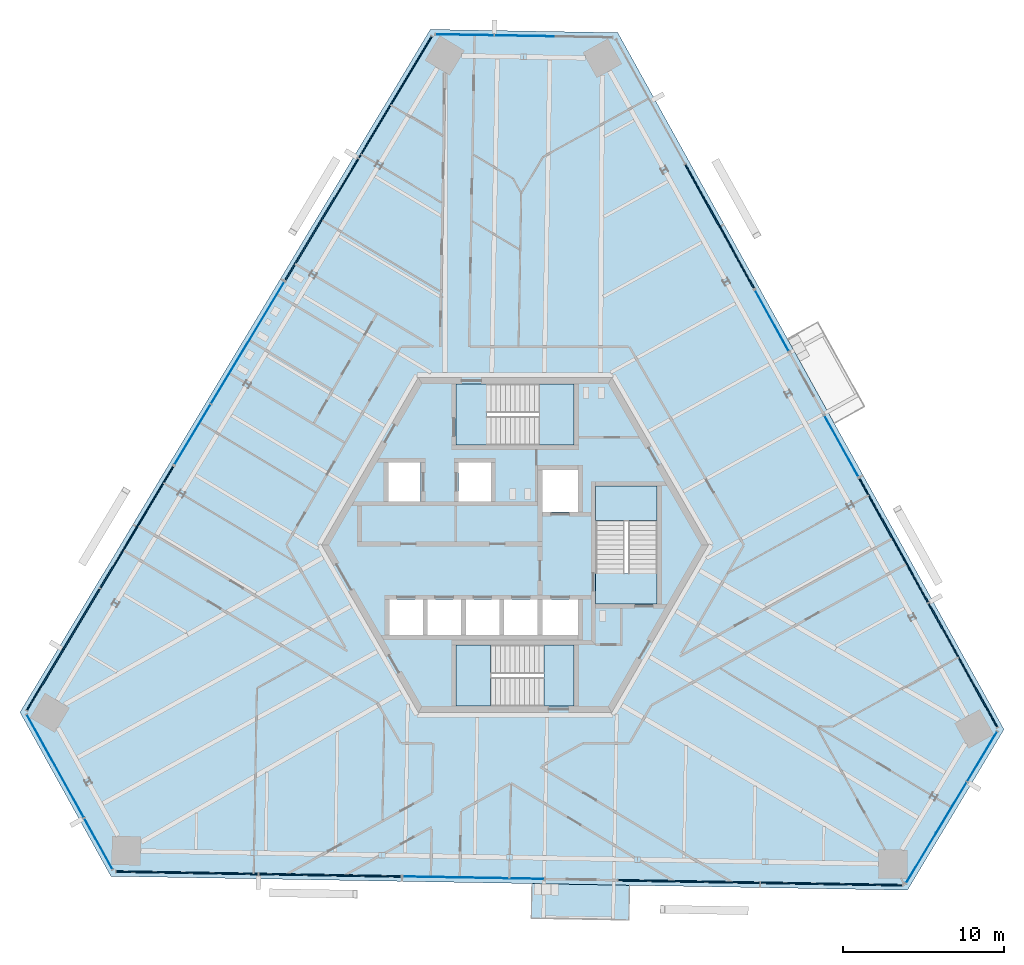
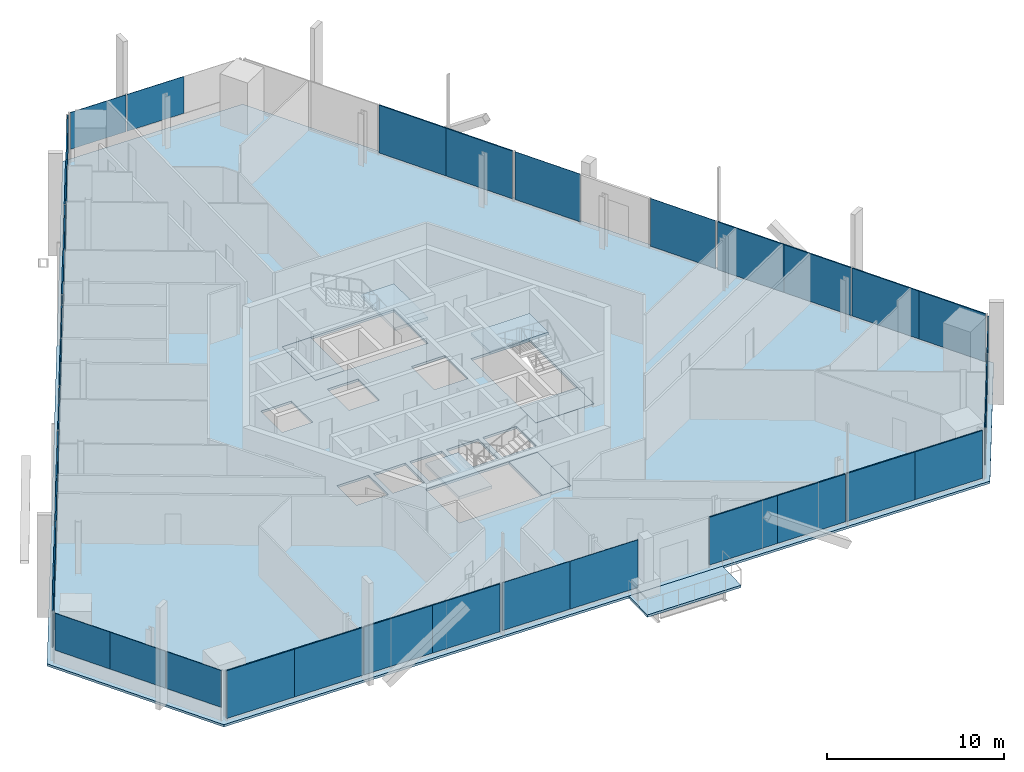
# One storey, part 10 of 21: 37 plates, 8 slabs, 16 elements without a shape of their own.
"""IFC4 building model written with IfcOpenShell, lengths in metres."""

from ifc_helpers import new_model, si_unit, direction, frame, origin, origin_2d, place, context, subcontext, project, spatial, polyline, rectangle, outline, extrude, source, transform, mapped, material, layer, layer_set, type_object, element, aggregate, save


model = new_model("IFC4")

# Units and contexts
model_context = context("Model", 3, precision=1e-05, world=origin(), true_north=direction((0.0, 1.0)))
body_context = subcontext(model_context, "Body", "Model", "MODEL_VIEW")
ifc_project = project(units=[si_unit("LENGTHUNIT", "METRE"), si_unit("AREAUNIT", "SQUARE_METRE"), si_unit("VOLUMEUNIT", "CUBIC_METRE"), si_unit("PLANEANGLEUNIT", "RADIAN"), si_unit("MASSUNIT", "GRAM", prefix="KILO")], contexts=[model_context])

# Site, building, storey
site_placement = place(None, origin())
site = spatial("IfcSite", under=ifc_project, at=site_placement, CompositionType="ELEMENT")
building_placement = place(site_placement, origin())
building = spatial("IfcBuilding", under=site, at=building_placement, Name="Triune Harvest Tower", CompositionType="ELEMENT")
storey_placement = place(building_placement, frame((0.0, 0.0, 187.10009765625)))
storey = spatial("IfcBuildingStorey", under=building, at=storey_placement, Name="L48", CompositionType="ELEMENT", Elevation=187.10009765625)

# Slabs
ifc_material_1 = material(Name="Concrete 40 MPa", Category="concrete")
ifc_layer_1 = layer(ifc_material_1, 0.159912109375)
ifc_layer_set_1 = layer_set([ifc_layer_1], Name="Concrete 40 MPa")
slab_type_1 = type_object("IfcSlabType", Name="BA-1 balcony slab 160", PredefinedType="FLOOR", material=ifc_layer_set_1)
slab_1_placement = place(storey_placement, frame((0.0, 0.0, -0.16015625)))
element("IfcSlab", 1, at=slab_1_placement, inside=storey, type_object=slab_type_1, Name="Balcony slab B5-F5 L48.7", PredefinedType="FLOOR", context=body_context, shape_type="SweptSolid", body=[
    extrude(outline(polyline([(1.045654296875, -20.99853515625), (7.093505859375, -21.10400390625), (7.055908203125, -23.251708984375), (1.00830078125, -23.14599609375), (1.045654296875, -20.99853515625)])), origin(), (0.0, 0.0, 1.0), 0.16015625),
])
ifc_material_2 = material(Name="Concrete 40 MPa", Category="concrete")
ifc_layer_2 = layer(ifc_material_2, 0.159912109375)
ifc_layer_set_2 = layer_set([ifc_layer_2], Name="Concrete 40 MPa")
slab_type_2 = type_object("IfcSlabType", Name="SL-1 Composite floor slab 160", PredefinedType="FLOOR", material=ifc_layer_set_2)
shared_shape_1 = source(origin(), body_context, "Body", "SweptSolid", [
    extrude(outline(polyline([(30.324951171875, -11.439208984375), (6.368896484375, 31.77880859375), (-5.256103515625, 31.981689453125), (-30.705810546875, -10.373779296875), (-25.069091796875, -20.542724609375), (24.3369140625, -21.405029296875), (30.324951171875, -11.439208984375)]), holes=[polyline([(-5.72509765625, -5.590087890625), (-5.72509765625, -3.389892578125), (-7.800048828125, -3.389892578125), (-7.800048828125, -5.590087890625), (-5.72509765625, -5.590087890625)]), polyline([(-3.35009765625, -5.590087890625), (-3.35009765625, -3.389892578125), (-5.425048828125, -3.389892578125), (-5.425048828125, -5.590087890625), (-3.35009765625, -5.590087890625)]), polyline([(-0.97509765625, -5.590087890625), (-0.97509765625, -3.389892578125), (-3.050048828125, -3.389892578125), (-3.050048828125, -5.590087890625), (-0.97509765625, -5.590087890625)]), polyline([(1.39990234375, -5.590087890625), (1.39990234375, -3.389892578125), (-0.675048828125, -3.389892578125), (-0.675048828125, -5.590087890625), (1.39990234375, -5.590087890625)]), polyline([(3.89990234375, 2.06005859375), (3.89990234375, 4.659912109375), (1.699951171875, 4.659912109375), (1.699951171875, 2.06005859375), (3.89990234375, 2.06005859375)]), polyline([(3.89990234375, -5.590087890625), (3.89990234375, -3.389892578125), (1.699951171875, -3.389892578125), (1.699951171875, -5.590087890625), (3.89990234375, -5.590087890625)]), polyline([(-5.85009765625, 2.7099609375), (-5.85009765625, 5.110107421875), (-7.85009765625, 5.110107421875), (-7.85009765625, 2.7099609375), (-5.85009765625, 2.7099609375)]), polyline([(-1.5, 2.7099609375), (-1.5, 5.110107421875), (-3.5, 5.110107421875), (-3.5, 2.7099609375), (-1.5, 2.7099609375)]), polyline([(3.64990234375, 6.18994140625), (3.64990234375, 9.989990234375), (-3.64990234375, 9.989990234375), (-3.64990234375, 6.18994140625), (3.64990234375, 6.18994140625)]), polyline([(3.64990234375, -9.989990234375), (3.64990234375, -6.18994140625), (-3.64990234375, -6.18994140625), (-3.64990234375, -9.989990234375), (3.64990234375, -9.989990234375)]), polyline([(8.800048828125, -3.64990234375), (8.800048828125, 3.64990234375), (5.0, 3.64990234375), (5.0, -3.64990234375), (8.800048828125, -3.64990234375)])]), origin(), (0.0, 0.0, 1.0), 0.16015625),
])
slab_2_placement = place(storey_placement, frame((0.0, 0.0, -0.16015625)))
element("IfcSlab", 2, at=slab_2_placement, inside=storey, type_object=slab_type_2, Name="slab/L48/1", PredefinedType="FLOOR", context=body_context, shape_type="MappedRepresentation", body=[
    mapped(shared_shape_1, transform((0.0, 0.0, 0.0), scale=1.0)),
])

# Stair, slabs
ifc_material_3 = material(Name="Concrete 40 MPa", Category="concrete")
stair_type = type_object("IfcStairType", Name="Exit stair 1800 half turn", PredefinedType="HALF_TURN_STAIR", material=ifc_material_3)
stair_1_placement = place(storey_placement, origin())
stair_1 = element("IfcStair", 3, at=stair_1_placement, inside=storey, type_object=stair_type, Name="Exit stair north", PredefinedType="HALF_TURN_STAIR")
ifc_material_4 = material(Name="Concrete 40 MPa", Category="concrete")
ifc_layer_3 = layer(ifc_material_4, 0.199951171875)
ifc_layer_set_3 = layer_set([ifc_layer_3], Name="Concrete 40 MPa")
slab_type_3 = type_object("IfcSlabType", Name="Stair landing 200", PredefinedType="LANDING", material=ifc_layer_set_3)
shared_shape_2 = source(origin(), body_context, "Body", "SweptSolid", [
    extrude(outline(polyline([(1.510009765625, 6.18994140625), (3.64990234375, 6.18994140625), (3.64990234375, 9.989990234375), (1.510009765625, 9.989990234375), (1.510009765625, 6.18994140625)])), origin(), (0.0, 0.0, 1.0), 0.199951171875),
])
slab_3_placement = place(storey_placement, frame((0.0, 0.0, 1.599853515625)))
slab_3 = element("IfcSlab", 4, at=slab_3_placement, type_object=slab_type_3, Name="ST-1 landing 2", PredefinedType="LANDING", context=body_context, shape_type="MappedRepresentation", body=[
    mapped(shared_shape_2, transform((0.0, 0.0, 0.0), scale=1.0)),
])
shared_shape_3 = source(origin(), body_context, "Body", "SweptSolid", [
    extrude(outline(polyline([(-3.64990234375, 6.18994140625), (-1.780029296875, 6.18994140625), (-1.780029296875, 9.989990234375), (-3.64990234375, 9.989990234375), (-3.64990234375, 6.18994140625)])), origin(), (0.0, 0.0, 1.0), 0.2001953125),
])
slab_4_placement = place(storey_placement, frame((0.0, 0.0, -0.2001953125)))
slab_4 = element("IfcSlab", 5, at=slab_4_placement, type_object=slab_type_3, Name="ST-1 landing 1", PredefinedType="LANDING", context=body_context, shape_type="MappedRepresentation", body=[
    mapped(shared_shape_3, transform((0.0, 0.0, 0.0), scale=1.0)),
])
aggregate(stair_1, [slab_4, slab_3])

stair_2_placement = place(storey_placement, origin())
stair_2 = element("IfcStair", 6, at=stair_2_placement, inside=storey, type_object=stair_type, Name="Exit stair south", PredefinedType="HALF_TURN_STAIR")
shared_shape_4 = source(origin(), body_context, "Body", "SweptSolid", [
    extrude(outline(polyline([(-1.510009765625, -6.18994140625), (-3.64990234375, -6.18994140625), (-3.64990234375, -9.989990234375), (-1.510009765625, -9.989990234375), (-1.510009765625, -6.18994140625)])), origin(), (0.0, 0.0, 1.0), 0.199951171875),
])
slab_5_placement = place(storey_placement, frame((0.0, 0.0, 1.599853515625)))
slab_5 = element("IfcSlab", 7, at=slab_5_placement, type_object=slab_type_3, Name="ST-2 landing 2", PredefinedType="LANDING", context=body_context, shape_type="MappedRepresentation", body=[
    mapped(shared_shape_4, transform((0.0, 0.0, 0.0), scale=1.0)),
])
shared_shape_5 = source(origin(), body_context, "Body", "SweptSolid", [
    extrude(outline(polyline([(3.64990234375, -6.18994140625), (1.780029296875, -6.18994140625), (1.780029296875, -9.989990234375), (3.64990234375, -9.989990234375), (3.64990234375, -6.18994140625)])), origin(), (0.0, 0.0, 1.0), 0.2001953125),
])
slab_6_placement = place(storey_placement, frame((0.0, 0.0, -0.2001953125)))
slab_6 = element("IfcSlab", 8, at=slab_6_placement, type_object=slab_type_3, Name="ST-2 landing 1", PredefinedType="LANDING", context=body_context, shape_type="MappedRepresentation", body=[
    mapped(shared_shape_5, transform((0.0, 0.0, 0.0), scale=1.0)),
])
aggregate(stair_2, [slab_6, slab_5])

stair_3_placement = place(storey_placement, origin())
stair_3 = element("IfcStair", 9, at=stair_3_placement, inside=storey, type_object=stair_type, Name="Exit stair east", PredefinedType="HALF_TURN_STAIR")
shared_shape_6 = source(origin(), body_context, "Body", "SweptSolid", [
    extrude(outline(polyline([(8.800048828125, 1.510009765625), (8.800048828125, 3.64990234375), (5.0, 3.64990234375), (5.0, 1.510009765625), (8.800048828125, 1.510009765625)])), origin(), (0.0, 0.0, 1.0), 0.199951171875),
])
slab_7_placement = place(storey_placement, frame((0.0, 0.0, 1.599853515625)))
slab_7 = element("IfcSlab", 10, at=slab_7_placement, type_object=slab_type_3, Name="ST-3 landing 2", PredefinedType="LANDING", context=body_context, shape_type="MappedRepresentation", body=[
    mapped(shared_shape_6, transform((0.0, 0.0, 0.0), scale=1.0)),
])
shared_shape_7 = source(origin(), body_context, "Body", "SweptSolid", [
    extrude(outline(polyline([(8.800048828125, -3.64990234375), (8.800048828125, -1.780029296875), (5.0, -1.780029296875), (5.0, -3.64990234375), (8.800048828125, -3.64990234375)])), origin(), (0.0, 0.0, 1.0), 0.2001953125),
])
slab_8_placement = place(storey_placement, frame((0.0, 0.0, -0.2001953125)))
slab_8 = element("IfcSlab", 11, at=slab_8_placement, type_object=slab_type_3, Name="ST-3 landing 1", PredefinedType="LANDING", context=body_context, shape_type="MappedRepresentation", body=[
    mapped(shared_shape_7, transform((0.0, 0.0, 0.0), scale=1.0)),
])
aggregate(stair_3, [slab_8, slab_7])

# Curtain wall, plates
ifc_material_5 = material(Name="Aluminium bronze anodised", Category="aluminium")
curtain_wall_type_1 = type_object("IfcCurtainWallType", Name="CW-10 Balcony window wall with insulated spandrel infill", PredefinedType="NOTDEFINED", material=ifc_material_5)
curtain_wall_1_placement = place(storey_placement, origin())
curtain_wall_1 = element("IfcCurtainWall", 12, at=curtain_wall_1_placement, inside=storey, type_object=curtain_wall_type_1, Name="CW-10 B5-F5 L48 run 2")
ifc_material_6 = material(Name="Insulated spandrel panel, bronze aluminium pan", Category="aluminium")
ifc_layer_4 = layer(ifc_material_6, 0.080078125)
ifc_layer_set_4 = layer_set([ifc_layer_4], Name="Insulated spandrel panel, bronze aluminium pan")
plate_type_1 = type_object("IfcPlateType", Name="SP-1 insulated spandrel panel 80", PredefinedType="CURTAIN_PANEL", material=ifc_layer_set_4)
shared_shape_8 = source(origin(), body_context, "Body", "SweptSolid", [
    extrude(rectangle(XDim=4.400634765625, YDim=0.080078125, at=origin_2d()), origin(), (0.0, 0.0, 1.0), 3.2900390625),
])
plate_1_placement = place(storey_placement, frame((12.966552734375, -20.906494140625, 0.14990234375), z_axis=(0.0, 0.0, 1.0), x_axis=(0.999847708228, -0.017451657526, 0.0)))
plate_1 = element("IfcPlate", 13, at=plate_1_placement, type_object=plate_type_1, Name="CW-10 panel B5-F5 2.2", PredefinedType="CURTAIN_PANEL", context=body_context, shape_type="MappedRepresentation", body=[
    mapped(shared_shape_8, transform((0.0, 0.0, 0.0), scale=1.0)),
])
plate_2_placement = place(storey_placement, frame((17.44140625, -20.984619140625, 0.14990234375), z_axis=(0.0, 0.0, 1.0), x_axis=(0.999847708228, -0.017451657526, 0.0)))
plate_2 = element("IfcPlate", 14, at=plate_2_placement, type_object=plate_type_1, Name="CW-10 panel B5-F5 2.3", PredefinedType="CURTAIN_PANEL", context=body_context, shape_type="MappedRepresentation", body=[
    mapped(shared_shape_8, transform((0.0, 0.0, 0.0), scale=1.0)),
])
shared_shape_9 = source(origin(), body_context, "Body", "SweptSolid", [
    extrude(rectangle(XDim=4.363037109375, YDim=0.080078125, at=origin_2d()), origin(), (0.0, 0.0, 1.0), 3.2900390625),
])
plate_3_placement = place(storey_placement, frame((8.585205078125, -20.830078125, 0.14990234375), z_axis=(0.0, 0.0, 1.0), x_axis=(0.999847708228, -0.017451657526, 0.0)))
plate_3 = element("IfcPlate", 15, at=plate_3_placement, type_object=plate_type_1, Name="CW-10 panel B5-F5 2.1", PredefinedType="CURTAIN_PANEL", context=body_context, shape_type="MappedRepresentation", body=[
    mapped(shared_shape_9, transform((0.0, 0.0, 0.0), scale=1.0)),
])
plate_4_placement = place(storey_placement, frame((21.82275390625, -21.06103515625, 0.14990234375), z_axis=(0.0, 0.0, 1.0), x_axis=(0.999847708228, -0.017451657526, 0.0)))
plate_4 = element("IfcPlate", 16, at=plate_4_placement, type_object=plate_type_1, Name="CW-10 panel B5-F5 2.4", PredefinedType="CURTAIN_PANEL", context=body_context, shape_type="MappedRepresentation", body=[
    mapped(shared_shape_9, transform((0.0, 0.0, 0.0), scale=1.0)),
])
aggregate(curtain_wall_1, [plate_3, plate_1, plate_2, plate_4])

# Curtain wall, plate
ifc_material_7 = material(Name="Aluminium bronze anodised", Category="aluminium")
curtain_wall_type_2 = type_object("IfcCurtainWallType", Name="CW-1 Tower stick curtain wall", PredefinedType="NOTDEFINED", material=ifc_material_7)
curtain_wall_2_placement = place(storey_placement, origin())
curtain_wall_2 = element("IfcCurtainWall", 17, at=curtain_wall_2_placement, inside=storey, type_object=curtain_wall_type_2, Name="CW-1 B5-F4 L48 run 1")
ifc_material_8 = material(Name="Glass", Category="glass")
ifc_layer_5 = layer(ifc_material_8, 0.031982421875)
ifc_layer_set_5 = layer_set([ifc_layer_5], Name="Glass")
plate_type_2 = type_object("IfcPlateType", Name="GL-1 panel 32", PredefinedType="CURTAIN_PANEL", material=ifc_layer_set_5)
shared_shape_10 = source(origin(), body_context, "Body", "SweptSolid", [
    extrude(rectangle(XDim=3.625, YDim=0.031982421875, at=origin_2d()), origin(), (0.0, 0.0, 1.0), 2.5400390625),
])
plate_5_placement = place(storey_placement, frame((-29.400634765625, -12.109375, 0.89990234375), z_axis=(0.0, 0.0, 1.0), x_axis=(0.484801950362, -0.874623958582, 0.0)))
plate_5 = element("IfcPlate", 18, at=plate_5_placement, type_object=plate_type_2, Name="CW-1 panel B5-F4 1.1", PredefinedType="CURTAIN_PANEL", context=body_context, shape_type="MappedRepresentation", body=[
    mapped(shared_shape_10, transform((0.0, 0.0, 0.0), scale=1.0)),
])

curtain_wall_3_placement = place(storey_placement, origin())
curtain_wall_3 = element("IfcCurtainWall", 19, at=curtain_wall_3_placement, inside=storey, type_object=curtain_wall_type_2, Name="CW-1 B5-F6 L48 run 1")
plate_6_placement = place(storey_placement, frame((25.1875, -19.406982421875, 0.89990234375), z_axis=(0.0, 0.0, 1.0), x_axis=(0.515036685882, 0.857168135313, 0.0)))
plate_6 = element("IfcPlate", 20, at=plate_6_placement, type_object=plate_type_2, Name="CW-1 panel B5-F6 1.1", PredefinedType="CURTAIN_PANEL", context=body_context, shape_type="MappedRepresentation", body=[
    mapped(shared_shape_10, transform((0.0, 0.0, 0.0), scale=1.0)),
])

curtain_wall_4_placement = place(storey_placement, origin())
curtain_wall_4 = element("IfcCurtainWall", 21, at=curtain_wall_4_placement, inside=storey, type_object=curtain_wall_type_2, Name="CW-1 B5-F2 L48 run 1")
shared_shape_11 = source(origin(), body_context, "Body", "SweptSolid", [
    extrude(rectangle(XDim=3.66259765625, YDim=0.031982421875, at=origin_2d()), origin(), (0.0, 0.0, 1.0), 2.5400390625),
])
plate_7_placement = place(storey_placement, frame((0.570068359375, 31.580078125, 0.89990234375), z_axis=(0.0, 0.0, 1.0), x_axis=(-0.999847801404, 0.017446318452, 0.0)))
plate_7 = element("IfcPlate", 22, at=plate_7_placement, type_object=plate_type_2, Name="CW-1 panel B5-F2 1.2", PredefinedType="CURTAIN_PANEL", context=body_context, shape_type="MappedRepresentation", body=[
    mapped(shared_shape_11, transform((0.0, 0.0, 0.0), scale=1.0)),
])

# Plate
plate_8_placement = place(storey_placement, frame((-27.634033203125, -15.29638671875, 0.89990234375), z_axis=(0.0, 0.0, 1.0), x_axis=(0.484801950362, -0.874623958582, 0.0)))
plate_8 = element("IfcPlate", 23, at=plate_8_placement, type_object=plate_type_2, Name="CW-1 panel B5-F4 1.2", PredefinedType="CURTAIN_PANEL", context=body_context, shape_type="MappedRepresentation", body=[
    mapped(shared_shape_11, transform((0.0, 0.0, 0.0), scale=1.0)),
])

plate_9_placement = place(storey_placement, frame((27.064208984375, -16.28369140625, 0.89990234375), z_axis=(0.0, 0.0, 1.0), x_axis=(0.515036685882, 0.857168135313, 0.0)))
plate_9 = element("IfcPlate", 24, at=plate_9_placement, type_object=plate_type_2, Name="CW-1 panel B5-F6 1.2", PredefinedType="CURTAIN_PANEL", context=body_context, shape_type="MappedRepresentation", body=[
    mapped(shared_shape_11, transform((0.0, 0.0, 0.0), scale=1.0)),
])

shared_shape_12 = source(origin(), body_context, "Body", "SweptSolid", [
    extrude(rectangle(XDim=3.587646484375, YDim=0.031982421875, at=origin_2d()), origin(), (0.0, 0.0, 1.0), 2.5400390625),
])
plate_10_placement = place(storey_placement, frame((-3.129638671875, 31.64453125, 0.89990234375), z_axis=(0.0, 0.0, 1.0), x_axis=(-0.999847801404, 0.017446318452, 0.0)))
plate_10 = element("IfcPlate", 25, at=plate_10_placement, type_object=plate_type_2, Name="CW-1 panel B5-F2 1.3", PredefinedType="CURTAIN_PANEL", context=body_context, shape_type="MappedRepresentation", body=[
    mapped(shared_shape_12, transform((0.0, 0.0, 0.0), scale=1.0)),
])

aggregate(curtain_wall_4, [plate_7, plate_10])

plate_11_placement = place(storey_placement, frame((-25.84033203125, -18.532470703125, 0.89990234375), z_axis=(0.0, 0.0, 1.0), x_axis=(0.484801950362, -0.874623958582, 0.0)))
plate_11 = element("IfcPlate", 26, at=plate_11_placement, type_object=plate_type_2, Name="CW-1 panel B5-F4 1.3", PredefinedType="CURTAIN_PANEL", context=body_context, shape_type="MappedRepresentation", body=[
    mapped(shared_shape_12, transform((0.0, 0.0, 0.0), scale=1.0)),
])

aggregate(curtain_wall_2, [plate_5, plate_8, plate_11])

plate_12_placement = place(storey_placement, frame((28.9697265625, -13.112060546875, 0.89990234375), z_axis=(0.0, 0.0, 1.0), x_axis=(0.515036685882, 0.857168135313, 0.0)))
plate_12 = element("IfcPlate", 27, at=plate_12_placement, type_object=plate_type_2, Name="CW-1 panel B5-F6 1.3", PredefinedType="CURTAIN_PANEL", context=body_context, shape_type="MappedRepresentation", body=[
    mapped(shared_shape_12, transform((0.0, 0.0, 0.0), scale=1.0)),
])

aggregate(curtain_wall_3, [plate_6, plate_9, plate_12])

# Curtain wall, plates
ifc_material_9 = material(Name="Aluminium bronze anodised", Category="aluminium")
curtain_wall_type_3 = type_object("IfcCurtainWallType", Name="CW-7 Tower stick curtain wall with insulated spandrel infill", PredefinedType="NOTDEFINED", material=ifc_material_9)
curtain_wall_5_placement = place(storey_placement, origin())
curtain_wall_5 = element("IfcCurtainWall", 28, at=curtain_wall_5_placement, inside=storey, type_object=curtain_wall_type_3, Name="CW-7 B5-F3 L48 run 1")
shared_shape_13 = source(origin(), body_context, "Body", "SweptSolid", [
    extrude(rectangle(XDim=4.40673828125, YDim=0.080078125, at=origin_2d()), origin(), (0.0, 0.0, 1.0), 2.5400390625),
])
plate_13_placement = place(storey_placement, frame((-8.558349609375, 25.9033203125, 0.89990234375), z_axis=(0.0, 0.0, 1.0), x_axis=(-0.515038893109, -0.857166809078, 0.0)))
plate_13 = element("IfcPlate", 29, at=plate_13_placement, type_object=plate_type_1, Name="CW-7 panel B5-F3 1.2", PredefinedType="CURTAIN_PANEL", context=body_context, shape_type="MappedRepresentation", body=[
    mapped(shared_shape_13, transform((0.0, 0.0, 0.0), scale=1.0)),
])
plate_14_placement = place(storey_placement, frame((-10.866455078125, 22.061767578125, 0.89990234375), z_axis=(0.0, 0.0, 1.0), x_axis=(-0.515038893109, -0.857166809078, 0.0)))
plate_14 = element("IfcPlate", 30, at=plate_14_placement, type_object=plate_type_1, Name="CW-7 panel B5-F3 1.3", PredefinedType="CURTAIN_PANEL", context=body_context, shape_type="MappedRepresentation", body=[
    mapped(shared_shape_13, transform((0.0, 0.0, 0.0), scale=1.0)),
])

curtain_wall_6_placement = place(storey_placement, origin())
curtain_wall_6 = element("IfcCurtainWall", 31, at=curtain_wall_6_placement, inside=storey, type_object=curtain_wall_type_3, Name="CW-7 B5-F3 L48 run 2001")
plate_15_placement = place(storey_placement, frame((-24.580810546875, -0.762939453125, 0.89990234375), z_axis=(0.0, 0.0, 1.0), x_axis=(-0.515038893109, -0.857166809078, 0.0)))
plate_15 = element("IfcPlate", 32, at=plate_15_placement, type_object=plate_type_1, Name="CW-7 panel B5-F3 2001.2", PredefinedType="CURTAIN_PANEL", context=body_context, shape_type="MappedRepresentation", body=[
    mapped(shared_shape_13, transform((0.0, 0.0, 0.0), scale=1.0)),
])
plate_16_placement = place(storey_placement, frame((-26.88916015625, -4.6044921875, 0.89990234375), z_axis=(0.0, 0.0, 1.0), x_axis=(-0.515038893109, -0.857166809078, 0.0)))
plate_16 = element("IfcPlate", 33, at=plate_16_placement, type_object=plate_type_1, Name="CW-7 panel B5-F3 2001.3", PredefinedType="CURTAIN_PANEL", context=body_context, shape_type="MappedRepresentation", body=[
    mapped(shared_shape_13, transform((0.0, 0.0, 0.0), scale=1.0)),
])

curtain_wall_7_placement = place(storey_placement, origin())
curtain_wall_7 = element("IfcCurtainWall", 34, at=curtain_wall_7_placement, inside=storey, type_object=curtain_wall_type_2, Name="CW-1 B5-F3 L48 run 1001")
shared_shape_14 = source(origin(), body_context, "Body", "SweptSolid", [
    extrude(rectangle(XDim=4.369384765625, YDim=0.031982421875, at=origin_2d()), origin(), (0.0, 0.0, 1.0), 2.5400390625),
])
plate_17_placement = place(storey_placement, frame((-15.4541015625, 14.4267578125, 0.89990234375), z_axis=(0.0, 0.0, 1.0), x_axis=(-0.515030603177, -0.857171790128, 0.0)))
plate_17 = element("IfcPlate", 35, at=plate_17_placement, type_object=plate_type_2, Name="CW-1 panel B5-F3 1001.1", PredefinedType="CURTAIN_PANEL", context=body_context, shape_type="MappedRepresentation", body=[
    mapped(shared_shape_14, transform((0.0, 0.0, 0.0), scale=1.0)),
])
shared_shape_15 = source(origin(), body_context, "Body", "SweptSolid", [
    extrude(rectangle(XDim=4.40673828125, YDim=0.031982421875, at=origin_2d()), origin(), (0.0, 0.0, 1.0), 2.5400390625),
])
plate_18_placement = place(storey_placement, frame((-17.714111328125, 10.66552734375, 0.89990234375), z_axis=(0.0, 0.0, 1.0), x_axis=(-0.515030603177, -0.857171790128, 0.0)))
plate_18 = element("IfcPlate", 36, at=plate_18_placement, type_object=plate_type_2, Name="CW-1 panel B5-F3 1001.2", PredefinedType="CURTAIN_PANEL", context=body_context, shape_type="MappedRepresentation", body=[
    mapped(shared_shape_15, transform((0.0, 0.0, 0.0), scale=1.0)),
])
shared_shape_16 = source(origin(), body_context, "Body", "SweptSolid", [
    extrude(rectangle(XDim=4.331787109375, YDim=0.031982421875, at=origin_2d()), origin(), (0.0, 0.0, 1.0), 2.5400390625),
])
plate_19_placement = place(storey_placement, frame((-20.0029296875, 6.85595703125, 0.89990234375), z_axis=(0.0, 0.0, 1.0), x_axis=(-0.515030603177, -0.857171790128, 0.0)))
plate_19 = element("IfcPlate", 37, at=plate_19_placement, type_object=plate_type_2, Name="CW-1 panel B5-F3 1001.3", PredefinedType="CURTAIN_PANEL", context=body_context, shape_type="MappedRepresentation", body=[
    mapped(shared_shape_16, transform((0.0, 0.0, 0.0), scale=1.0)),
])
aggregate(curtain_wall_7, [plate_17, plate_18, plate_19])

curtain_wall_8_placement = place(storey_placement, origin())
curtain_wall_8 = element("IfcCurtainWall", 38, at=curtain_wall_8_placement, inside=storey, type_object=curtain_wall_type_1, Name="CW-10 B5-F1 L48 run 1")
shared_shape_17 = source(origin(), body_context, "Body", "SweptSolid", [
    extrude(rectangle(XDim=4.36767578125, YDim=0.080078125, at=origin_2d()), origin(), (0.0, 0.0, 1.0), 3.2900390625),
])
plate_20_placement = place(storey_placement, frame((28.83984375, -9.378662109375, 0.14990234375), z_axis=(0.0, 0.0, 1.0), x_axis=(-0.48480650278, 0.874621435172, 0.0)))
plate_20 = element("IfcPlate", 39, at=plate_20_placement, type_object=plate_type_1, Name="CW-10 panel B5-F1 1.1", PredefinedType="CURTAIN_PANEL", context=body_context, shape_type="MappedRepresentation", body=[
    mapped(shared_shape_17, transform((0.0, 0.0, 0.0), scale=1.0)),
])
plate_21_placement = place(storey_placement, frame((22.414794921875, 2.21240234375, 0.14990234375), z_axis=(0.0, 0.0, 1.0), x_axis=(-0.48480650278, 0.874621435172, 0.0)))
plate_21 = element("IfcPlate", 40, at=plate_21_placement, type_object=plate_type_1, Name="CW-10 panel B5-F1 1.4", PredefinedType="CURTAIN_PANEL", context=body_context, shape_type="MappedRepresentation", body=[
    mapped(shared_shape_17, transform((0.0, 0.0, 0.0), scale=1.0)),
])

# Curtain wall, plate
curtain_wall_9_placement = place(storey_placement, origin())
curtain_wall_9 = element("IfcCurtainWall", 41, at=curtain_wall_9_placement, inside=storey, type_object=curtain_wall_type_1, Name="CW-10 B5-F1 L48 run 1002")
plate_22_placement = place(storey_placement, frame((13.75439453125, 17.83642578125, 0.14990234375), z_axis=(0.0, 0.0, 1.0), x_axis=(-0.48480650278, 0.874621435172, 0.0)))
plate_22 = element("IfcPlate", 42, at=plate_22_placement, type_object=plate_type_1, Name="CW-10 panel B5-F1 1002.1", PredefinedType="CURTAIN_PANEL", context=body_context, shape_type="MappedRepresentation", body=[
    mapped(shared_shape_17, transform((0.0, 0.0, 0.0), scale=1.0)),
])

# Plate
shared_shape_18 = source(origin(), body_context, "Body", "SweptSolid", [
    extrude(rectangle(XDim=4.405029296875, YDim=0.080078125, at=origin_2d()), origin(), (0.0, 0.0, 1.0), 3.2900390625),
])
plate_23_placement = place(storey_placement, frame((26.71337890625, -5.542236328125, 0.14990234375), z_axis=(0.0, 0.0, 1.0), x_axis=(-0.48480650278, 0.874621435172, 0.0)))
plate_23 = element("IfcPlate", 43, at=plate_23_placement, type_object=plate_type_1, Name="CW-10 panel B5-F1 1.2", PredefinedType="CURTAIN_PANEL", context=body_context, shape_type="MappedRepresentation", body=[
    mapped(shared_shape_18, transform((0.0, 0.0, 0.0), scale=1.0)),
])

plate_24_placement = place(storey_placement, frame((24.541259765625, -1.6240234375, 0.14990234375), z_axis=(0.0, 0.0, 1.0), x_axis=(-0.48480650278, 0.874621435172, 0.0)))
plate_24 = element("IfcPlate", 44, at=plate_24_placement, type_object=plate_type_1, Name="CW-10 panel B5-F1 1.3", PredefinedType="CURTAIN_PANEL", context=body_context, shape_type="MappedRepresentation", body=[
    mapped(shared_shape_18, transform((0.0, 0.0, 0.0), scale=1.0)),
])

aggregate(curtain_wall_8, [plate_20, plate_23, plate_24, plate_21])

plate_25_placement = place(storey_placement, frame((11.627685546875, 21.6728515625, 0.14990234375), z_axis=(0.0, 0.0, 1.0), x_axis=(-0.48480650278, 0.874621435172, 0.0)))
plate_25 = element("IfcPlate", 45, at=plate_25_placement, type_object=plate_type_1, Name="CW-10 panel B5-F1 1002.2", PredefinedType="CURTAIN_PANEL", context=body_context, shape_type="MappedRepresentation", body=[
    mapped(shared_shape_18, transform((0.0, 0.0, 0.0), scale=1.0)),
])

aggregate(curtain_wall_9, [plate_22, plate_25])

# Curtain wall, plate
ifc_material_10 = material(Name="Aluminium bronze anodised", Category="aluminium")
curtain_wall_type_4 = type_object("IfcCurtainWallType", Name="CW-6 Balcony window wall", PredefinedType="NOTDEFINED", material=ifc_material_10)
curtain_wall_10_placement = place(storey_placement, origin())
curtain_wall_10 = element("IfcCurtainWall", 46, at=curtain_wall_10_placement, inside=storey, type_object=curtain_wall_type_4, Name="CW-6 B5-F1 L48 run 1001")
ifc_material_11 = material(Name="Glass", Category="glass")
ifc_layer_6 = layer(ifc_material_11, 0.030029296875)
ifc_layer_set_6 = layer_set([ifc_layer_6], Name="Glass")
plate_type_3 = type_object("IfcPlateType", Name="GL-6 panel 30", PredefinedType="CURTAIN_PANEL", material=ifc_layer_set_6)
shared_shape_19 = source(origin(), body_context, "Body", "SweptSolid", [
    extrude(rectangle(XDim=4.292724609375, YDim=0.030029296875, at=origin_2d()), origin(), (0.0, 0.0, 1.0), 3.2900390625),
])
plate_26_placement = place(storey_placement, frame((20.24267578125, 6.130859375, 0.14990234375), z_axis=(0.0, 0.0, 1.0), x_axis=(-0.484816404086, 0.874615946761, 0.0)))
plate_26 = element("IfcPlate", 47, at=plate_26_placement, type_object=plate_type_3, Name="CW-6 panel B5-F1 1001.1", PredefinedType="CURTAIN_PANEL", context=body_context, shape_type="MappedRepresentation", body=[
    mapped(shared_shape_19, transform((0.0, 0.0, 0.0), scale=1.0)),
])
aggregate(curtain_wall_10, [plate_26])

curtain_wall_11_placement = place(storey_placement, origin())
curtain_wall_11 = element("IfcCurtainWall", 48, at=curtain_wall_11_placement, inside=storey, type_object=curtain_wall_type_4, Name="CW-6 B5-F1 L48 run 2")
plate_27_placement = place(storey_placement, frame((15.92626953125, 13.91796875, 0.14990234375), z_axis=(0.0, 0.0, 1.0), x_axis=(-0.484816404086, 0.874615946761, 0.0)))
plate_27 = element("IfcPlate", 49, at=plate_27_placement, type_object=plate_type_3, Name="CW-6 panel B5-F1 2.1", PredefinedType="CURTAIN_PANEL", context=body_context, shape_type="MappedRepresentation", body=[
    mapped(shared_shape_19, transform((0.0, 0.0, 0.0), scale=1.0)),
])
aggregate(curtain_wall_11, [plate_27])

# Plate
shared_shape_20 = source(origin(), body_context, "Body", "SweptSolid", [
    extrude(rectangle(XDim=4.369140625, YDim=0.080078125, at=origin_2d()), origin(), (0.0, 0.0, 1.0), 2.5400390625),
])
plate_28_placement = place(storey_placement, frame((-6.29833984375, 29.664794921875, 0.89990234375), z_axis=(0.0, 0.0, 1.0), x_axis=(-0.515038893109, -0.857166809078, 0.0)))
plate_28 = element("IfcPlate", 50, at=plate_28_placement, type_object=plate_type_1, Name="CW-7 panel B5-F3 1.1", PredefinedType="CURTAIN_PANEL", context=body_context, shape_type="MappedRepresentation", body=[
    mapped(shared_shape_20, transform((0.0, 0.0, 0.0), scale=1.0)),
])

plate_29_placement = place(storey_placement, frame((-13.12646484375, 18.300537109375, 0.89990234375), z_axis=(0.0, 0.0, 1.0), x_axis=(-0.515038893109, -0.857166809078, 0.0)))
plate_29 = element("IfcPlate", 51, at=plate_29_placement, type_object=plate_type_1, Name="CW-7 panel B5-F3 1.4", PredefinedType="CURTAIN_PANEL", context=body_context, shape_type="MappedRepresentation", body=[
    mapped(shared_shape_20, transform((0.0, 0.0, 0.0), scale=1.0)),
])

aggregate(curtain_wall_5, [plate_28, plate_13, plate_14, plate_29])

plate_30_placement = place(storey_placement, frame((-22.32080078125, 2.998291015625, 0.89990234375), z_axis=(0.0, 0.0, 1.0), x_axis=(-0.515038893109, -0.857166809078, 0.0)))
plate_30 = element("IfcPlate", 52, at=plate_30_placement, type_object=plate_type_1, Name="CW-7 panel B5-F3 2001.1", PredefinedType="CURTAIN_PANEL", context=body_context, shape_type="MappedRepresentation", body=[
    mapped(shared_shape_20, transform((0.0, 0.0, 0.0), scale=1.0)),
])

plate_31_placement = place(storey_placement, frame((-29.149169921875, -8.36572265625, 0.89990234375), z_axis=(0.0, 0.0, 1.0), x_axis=(-0.515038893109, -0.857166809078, 0.0)))
plate_31 = element("IfcPlate", 53, at=plate_31_placement, type_object=plate_type_1, Name="CW-7 panel B5-F3 2001.4", PredefinedType="CURTAIN_PANEL", context=body_context, shape_type="MappedRepresentation", body=[
    mapped(shared_shape_20, transform((0.0, 0.0, 0.0), scale=1.0)),
])

aggregate(curtain_wall_6, [plate_30, plate_15, plate_16, plate_31])

# Curtain wall, plates
curtain_wall_12_placement = place(storey_placement, origin())
curtain_wall_12 = element("IfcCurtainWall", 54, at=curtain_wall_12_placement, inside=storey, type_object=curtain_wall_type_1, Name="CW-10 B5-F5 L48 run 1")
shared_shape_21 = source(origin(), body_context, "Body", "SweptSolid", [
    extrude(rectangle(XDim=4.37060546875, YDim=0.080078125, at=origin_2d()), origin(), (0.0, 0.0, 1.0), 3.2900390625),
])
plate_32_placement = place(storey_placement, frame((-22.54052734375, -20.286865234375, 0.14990234375), z_axis=(0.0, 0.0, 1.0), x_axis=(0.999847713262, -0.017451369119, 0.0)))
plate_32 = element("IfcPlate", 55, at=plate_32_placement, type_object=plate_type_1, Name="CW-10 panel B5-F5 1.1", PredefinedType="CURTAIN_PANEL", context=body_context, shape_type="MappedRepresentation", body=[
    mapped(shared_shape_21, transform((0.0, 0.0, 0.0), scale=1.0)),
])
plate_33_placement = place(storey_placement, frame((-9.28076171875, -20.518310546875, 0.14990234375), z_axis=(0.0, 0.0, 1.0), x_axis=(0.999847713262, -0.017451369119, 0.0)))
plate_33 = element("IfcPlate", 56, at=plate_33_placement, type_object=plate_type_1, Name="CW-10 panel B5-F5 1.4", PredefinedType="CURTAIN_PANEL", context=body_context, shape_type="MappedRepresentation", body=[
    mapped(shared_shape_21, transform((0.0, 0.0, 0.0), scale=1.0)),
])
shared_shape_22 = source(origin(), body_context, "Body", "SweptSolid", [
    extrude(rectangle(XDim=4.408203125, YDim=0.080078125, at=origin_2d()), origin(), (0.0, 0.0, 1.0), 3.2900390625),
])
plate_34_placement = place(storey_placement, frame((-18.15185546875, -20.363525390625, 0.14990234375), z_axis=(0.0, 0.0, 1.0), x_axis=(0.999847713262, -0.017451369119, 0.0)))
plate_34 = element("IfcPlate", 57, at=plate_34_placement, type_object=plate_type_1, Name="CW-10 panel B5-F5 1.2", PredefinedType="CURTAIN_PANEL", context=body_context, shape_type="MappedRepresentation", body=[
    mapped(shared_shape_22, transform((0.0, 0.0, 0.0), scale=1.0)),
])
plate_35_placement = place(storey_placement, frame((-13.66943359375, -20.441650390625, 0.14990234375), z_axis=(0.0, 0.0, 1.0), x_axis=(0.999847713262, -0.017451369119, 0.0)))
plate_35 = element("IfcPlate", 58, at=plate_35_placement, type_object=plate_type_1, Name="CW-10 panel B5-F5 1.3", PredefinedType="CURTAIN_PANEL", context=body_context, shape_type="MappedRepresentation", body=[
    mapped(shared_shape_22, transform((0.0, 0.0, 0.0), scale=1.0)),
])
aggregate(curtain_wall_12, [plate_32, plate_34, plate_35, plate_33])

curtain_wall_13_placement = place(storey_placement, origin())
curtain_wall_13 = element("IfcCurtainWall", 59, at=curtain_wall_13_placement, inside=storey, type_object=curtain_wall_type_4, Name="CW-6 B5-F5 L48 run 1001")
shared_shape_23 = source(origin(), body_context, "Body", "SweptSolid", [
    extrude(rectangle(XDim=4.37060546875, YDim=0.030029296875, at=origin_2d()), origin(), (0.0, 0.0, 1.0), 3.2900390625),
])
plate_36_placement = place(storey_placement, frame((-4.7607421875, -20.59716796875, 0.14990234375), z_axis=(0.0, 0.0, 1.0), x_axis=(0.99984769816, -0.017452234357, 0.0)))
plate_36 = element("IfcPlate", 60, at=plate_36_placement, type_object=plate_type_3, Name="CW-6 panel B5-F5 1001.1", PredefinedType="CURTAIN_PANEL", context=body_context, shape_type="MappedRepresentation", body=[
    mapped(shared_shape_23, transform((0.0, 0.0, 0.0), scale=1.0)),
])
plate_37_placement = place(storey_placement, frame((-0.390869140625, -20.67333984375, 0.14990234375), z_axis=(0.0, 0.0, 1.0), x_axis=(0.99984769816, -0.017452234357, 0.0)))
plate_37 = element("IfcPlate", 61, at=plate_37_placement, type_object=plate_type_3, Name="CW-6 panel B5-F5 1001.2", PredefinedType="CURTAIN_PANEL", context=body_context, shape_type="MappedRepresentation", body=[
    mapped(shared_shape_23, transform((0.0, 0.0, 0.0), scale=1.0)),
])
aggregate(curtain_wall_13, [plate_36, plate_37])

save(model, "model.ifc")
